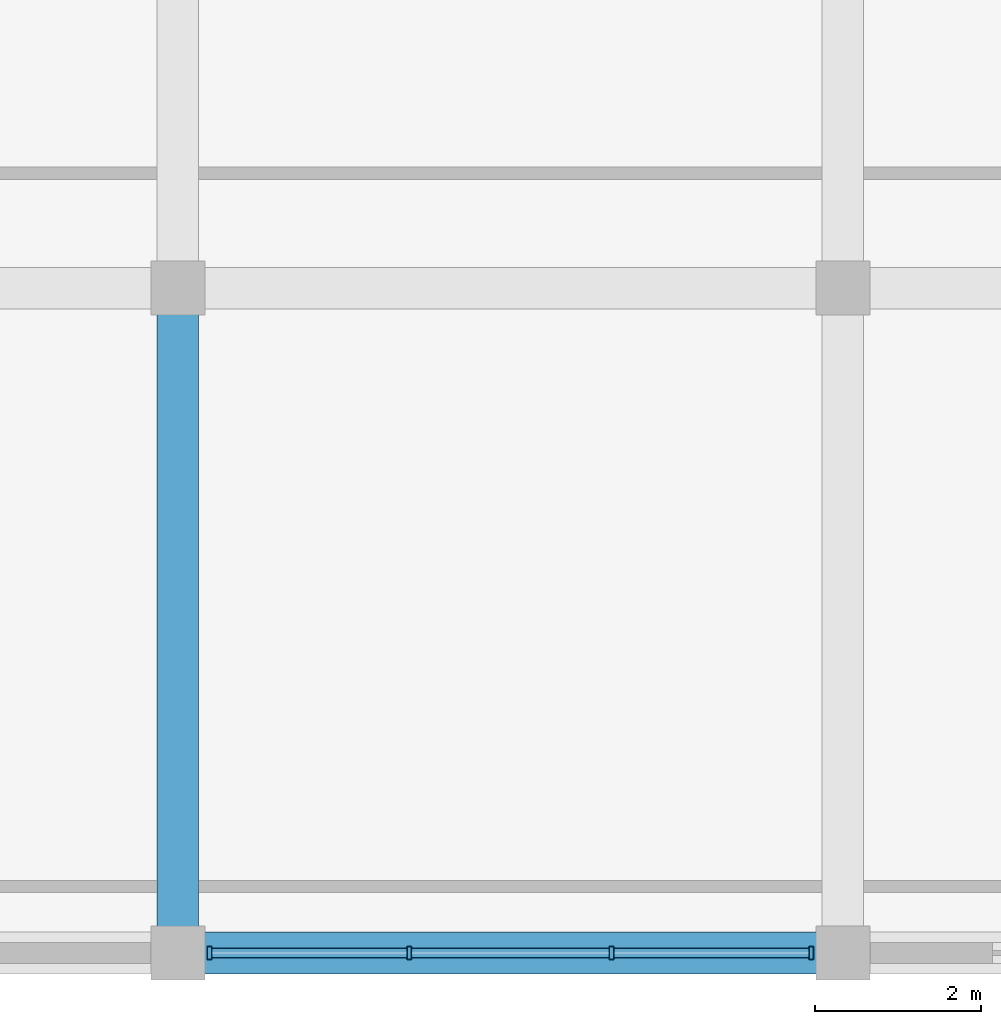
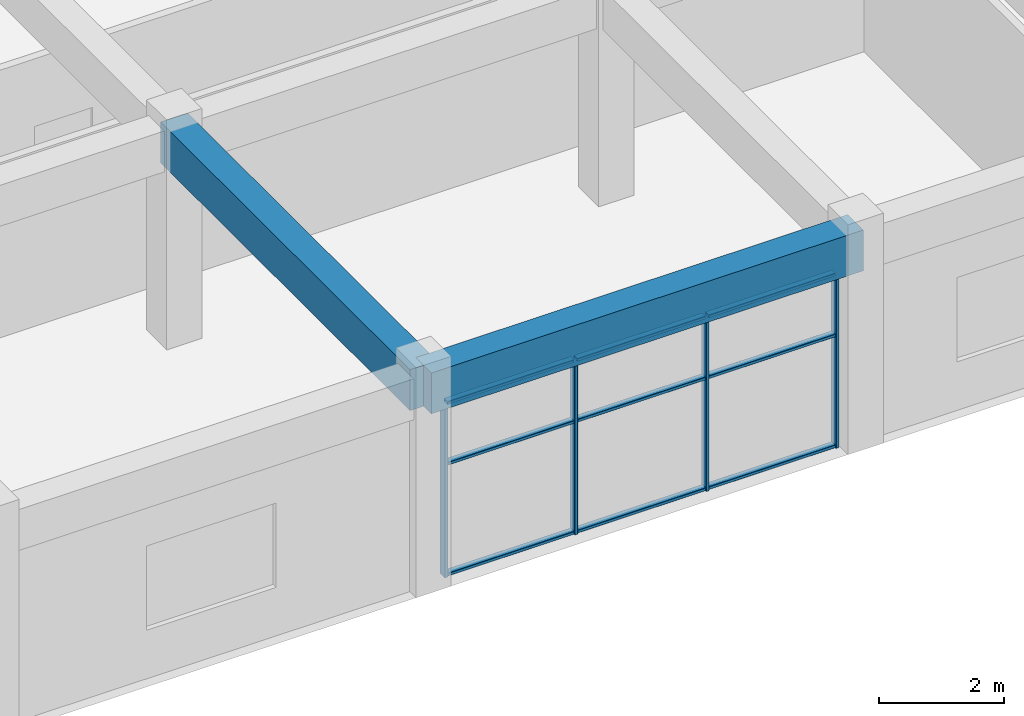
# One storey, part 8 of 52: 13 members, 2 beams, 1 element without a shape of its own.
"""IFC4 building model written with IfcOpenShell, lengths in metres."""

import ifcopenshell
import ifcopenshell.guid

model = None  # the IFC model being written
_history = None  # IfcOwnerHistory: only IFC2X3 demands one
_inside = {}  # id of a spatial element -> (the spatial element, [elements in it])
_under = {}  # id of a project, library or spatial element -> (it, [spatial elements below it])
_declared = {}  # id of a project -> (the project, [libraries it declares])
_typed = {}  # id of a type object -> (the type object, [elements of that type])
_made_of = {}  # id of a material, layer set ... -> (it, [elements and type objects made of it])


def new_model(schema):
    """Start an empty IFC model of exactly this schema.

    Asked for "IFC4X3", IfcOpenShell would pick the latest addendum, in which some entities
    have other attributes; the version numbers below select the first issue.
    IFC2X3 requires an IfcOwnerHistory on every rooted entity: one is made here for all.
    """
    global model, _history
    if schema == "IFC4X3":
        model = ifcopenshell.file(schema_version=(4, 3, 0, 0))
    else:
        model = ifcopenshell.file(schema=schema)
    _inside.clear()
    _under.clear()
    _declared.clear()
    _typed.clear()
    _made_of.clear()
    _history = None
    if model.schema == "IFC2X3":
        org = make("IfcOrganization", Name="unknown")
        user = make(
            "IfcPersonAndOrganization",
            ThePerson=make("IfcPerson", FamilyName="unknown"),
            TheOrganization=org,
        )
        app = make(
            "IfcApplication",
            ApplicationDeveloper=org,
            Version="unknown",
            ApplicationFullName="unknown",
            ApplicationIdentifier="unknown",
        )
        _history = make(
            "IfcOwnerHistory",
            OwningUser=user,
            OwningApplication=app,
            ChangeAction="ADDED",
            CreationDate=0,
        )
    return model


def make(cls, **values):
    """One entity of the class cls with the attributes given. An attribute that is None is left unset."""
    return model.create_entity(
        cls, **{name: value for name, value in values.items() if value is not None}
    )


def rooted(cls, **values):
    """An entity with a GlobalId (a new one), such as an element, a storey or a relation."""
    return make(cls, GlobalId=ifcopenshell.guid.new(), OwnerHistory=_history, **values)


def si_unit(unit_type, name, prefix=None):
    """IfcSIUnit, for example si_unit("LENGTHUNIT", "METRE", prefix="MILLI")."""
    return make("IfcSIUnit", UnitType=unit_type, Prefix=prefix, Name=name)


def assignment(units):
    """IfcUnitAssignment: the units of a project."""
    return None if units is None else make("IfcUnitAssignment", Units=units)


def point(xyz):
    """IfcCartesianPoint."""
    return None if xyz is None else make("IfcCartesianPoint", Coordinates=xyz)


def direction(xyz):
    """IfcDirection."""
    return None if xyz is None else make("IfcDirection", DirectionRatios=xyz)


def frame(location, z_axis=None, x_axis=None):
    """IfcAxis2Placement3D, a coordinate frame: its origin and axes. An axis left out is left unset."""
    return make(
        "IfcAxis2Placement3D",
        Location=point(location),
        Axis=direction(z_axis),
        RefDirection=direction(x_axis),
    )


def frame_2d(location, x_axis=None):
    """IfcAxis2Placement2D, a coordinate frame in the plane: its origin and x axis."""
    return make(
        "IfcAxis2Placement2D", Location=point(location), RefDirection=direction(x_axis)
    )


def origin():
    """The frame at (0, 0, 0) with its axes left unset."""
    return frame((0.0, 0.0, 0.0))


def origin_2d():
    """The frame at (0, 0) in the plane with its x axis left unset."""
    return frame_2d((0.0, 0.0))


def place(relative_to, where):
    """IfcLocalPlacement: puts the frame where relative to a parent placement (None: the world)."""
    return make(
        "IfcLocalPlacement", PlacementRelTo=relative_to, RelativePlacement=where
    )


def context(
    kind, dimensions, precision=None, world=None, true_north=None, identifier=None
):
    """IfcGeometricRepresentationContext, for example the 3D "Model" context."""
    return make(
        "IfcGeometricRepresentationContext",
        ContextIdentifier=identifier,
        ContextType=kind,
        CoordinateSpaceDimension=dimensions,
        Precision=precision,
        WorldCoordinateSystem=world,
        TrueNorth=true_north,
    )


def subcontext(parent, identifier, kind, view, scale=None):
    """IfcGeometricRepresentationSubContext, for example "Body" below "Model"."""
    return make(
        "IfcGeometricRepresentationSubContext",
        ContextIdentifier=identifier,
        ContextType=kind,
        ParentContext=parent,
        TargetScale=scale,
        TargetView=view,
    )


def project(units=None, contexts=None):
    """IfcProject with its units and contexts."""
    return rooted(
        "IfcProject",
        Name="project",
        RepresentationContexts=contexts,
        UnitsInContext=assignment(units),
    )


def spatial(cls, under=None, at=None, **own):
    """A site, building, storey or space (cls), placed at a placement, below another one or the project."""
    s = rooted(cls, ObjectPlacement=at, **own)
    if under is not None:
        _under.setdefault(under.id(), (under, []))[1].append(s)
    return s


def profile(cls, at=None, kind="AREA", **sizes):
    """A parametric profile (cls). Its sizes go by their IFC names, for example OverallWidth=200.0."""
    return make(cls, ProfileType=kind, Position=at, **sizes)


def rectangle(**sizes):
    """IfcRectangleProfileDef."""
    return profile("IfcRectangleProfileDef", **sizes)


def hollow_rectangle(**sizes):
    """IfcRectangleHollowProfileDef."""
    return profile("IfcRectangleHollowProfileDef", **sizes)


def extrude(swept, where, along, depth):
    """IfcExtrudedAreaSolid: the profile swept, set in the frame where, extruded along a direction by depth."""
    return make(
        "IfcExtrudedAreaSolid",
        SweptArea=swept,
        Position=where,
        ExtrudedDirection=direction(along),
        Depth=depth,
    )


def shape(context_of_items, identifier, shape_type, items):
    """IfcShapeRepresentation: the items that make up one representation, for example the "Body"."""
    return make(
        "IfcShapeRepresentation",
        ContextOfItems=context_of_items,
        RepresentationIdentifier=identifier,
        RepresentationType=shape_type,
        Items=items,
    )


def material(Name=None, Category=None):
    """IfcMaterial."""
    return make("IfcMaterial", Name=Name, Category=Category)


def layer(
    of_material, thickness, ventilated=None, Name=None, Category=None, Priority=None
):
    """IfcMaterialLayer: one layer of a wall or slab, of a material (None: an air gap)."""
    return make(
        "IfcMaterialLayer",
        Material=of_material,
        LayerThickness=thickness,
        IsVentilated=ventilated,
        Name=Name,
        Category=Category,
        Priority=Priority,
    )


def layer_set(layers, Name=None):
    """IfcMaterialLayerSet."""
    return make("IfcMaterialLayerSet", MaterialLayers=layers, LayerSetName=Name)


def material_profile(
    of_material, cross_section, Name=None, Category=None, Priority=None
):
    """IfcMaterialProfile: a cross section and its material."""
    return make(
        "IfcMaterialProfile",
        Name=Name,
        Material=of_material,
        Profile=cross_section,
        Priority=Priority,
        Category=Category,
    )


def profile_set(profiles, Name=None, composite=None):
    """IfcMaterialProfileSet."""
    return make(
        "IfcMaterialProfileSet",
        Name=Name,
        MaterialProfiles=profiles,
        CompositeProfile=composite,
    )


def made_of(thing, what):
    """Note that an element or type object is made of a material, layer set ...; save() writes the relation."""
    if what is not None:
        _made_of.setdefault(what.id(), (what, []))[1].append(thing)
    return thing


def type_object(cls, material=None, **own):
    """A type object (cls), such as IfcWallType, which elements share."""
    return made_of(rooted(cls, **own), material)


def element(
    cls,
    number,
    at=None,
    inside=None,
    cuts=None,
    type_object=None,
    material=None,
    context=None,
    identifier="Body",
    shape_type=None,
    held_by="IfcProductDefinitionShape",
    body=None,
    shapes=None,
    **own,
):
    """One element of the class cls, such as IfcWall. Its Tag is "e" and its number.

    at: its placement. inside: the storey or other place that contains it. cuts: it is an
    opening in that element (IfcRelVoidsElement). A single representation is given by context,
    identifier, shape_type and body (its items); several are given by shapes. held_by: the class
    of the entity that holds the representations. save() writes the other relations.
    """
    e = rooted(cls, Tag="e%d" % number, ObjectPlacement=at, **own)
    if body is not None:
        shapes = [shape(context, identifier, shape_type, body)]
    if shapes is not None:
        e.Representation = make(held_by, Representations=shapes)
    if inside is not None:
        _inside.setdefault(inside.id(), (inside, []))[1].append(e)
    if cuts is not None:
        rooted(
            "IfcRelVoidsElement", RelatingBuildingElement=cuts, RelatedOpeningElement=e
        )
    if type_object is not None:
        _typed.setdefault(type_object.id(), (type_object, []))[1].append(e)
    return made_of(e, material)


def aggregate(whole, parts):
    """IfcRelAggregates: a whole, such as a stair, and the parts it consists of."""
    return rooted("IfcRelAggregates", RelatingObject=whole, RelatedObjects=parts)


def save(model, path):
    """Write the relations noted so far, then the file.

    IfcRelAggregates (storeys below a building ...), IfcRelContainedInSpatialStructure (elements
    in a storey), IfcRelDefinesByType, IfcRelAssociatesMaterial and IfcRelDeclares: one each for
    every whole, place, type object, material and project.
    """
    for whole, parts in _under.values():
        aggregate(whole, parts)
    for where, things in _inside.values():
        rooted(
            "IfcRelContainedInSpatialStructure",
            RelatedElements=things,
            RelatingStructure=where,
        )
    for kind, things in _typed.values():
        rooted("IfcRelDefinesByType", RelatedObjects=things, RelatingType=kind)
    for what, things in _made_of.values():
        rooted("IfcRelAssociatesMaterial", RelatedObjects=things, RelatingMaterial=what)
    for by, libraries in _declared.values():
        rooted("IfcRelDeclares", RelatingContext=by, RelatedDefinitions=libraries)
    model.write(path)


model = new_model("IFC4")

# Units and contexts
model_context = context("Model", 3, precision=1e-05, world=origin(), true_north=direction((0.0, 1.0)))
body_context = subcontext(model_context, "Body", "Model", "MODEL_VIEW")
ifc_project = project(units=[si_unit("LENGTHUNIT", "METRE"), si_unit("AREAUNIT", "SQUARE_METRE"), si_unit("VOLUMEUNIT", "CUBIC_METRE"), si_unit("PLANEANGLEUNIT", "RADIAN"), si_unit("MASSUNIT", "GRAM", prefix="KILO")], contexts=[model_context])

# Site, building, storey
site_placement = place(None, origin())
site = spatial("IfcSite", under=ifc_project, at=site_placement, CompositionType="ELEMENT")
building_placement = place(site_placement, origin())
building = spatial("IfcBuilding", under=site, at=building_placement, Name="Kelanora Arch Commons", CompositionType="ELEMENT")
storey_placement = place(building_placement, frame((0.0, 0.0, 13.5)))
storey = spatial("IfcBuildingStorey", under=building, at=storey_placement, Name="L03", CompositionType="ELEMENT", Elevation=13.5)

# Beams
ifc_material_1 = material(Name="Concrete C40/50", Category="concrete")
ifc_material_profile_1 = material_profile(ifc_material_1, rectangle(XDim=0.5, YDim=0.800048828125, at=origin_2d()), Name="RCB500x800")
ifc_profile_set_1 = profile_set([ifc_material_profile_1], Name="Concrete C40/50")
beam_type = type_object("IfcBeamType", Name="BM-MKT-RC1", PredefinedType="BEAM", material=ifc_profile_set_1)
for number, where, z_axis, x_axis, name in (
    (1, (60.0, 4.0, 3.840087890625), (1.0, 0.0, 0.0), (0.0, 1.0, 0.0), "Market/Basement Frame Beam 108 L03"),
    (2, (60.0, 4.0, 3.840087890625), (0.0, 1.0, 0.0), (-1.0, 0.0, 0.0), "Market/Basement Frame Beam 109 L03"),
):
    element("IfcBeam", number, at=place(storey_placement, frame(where, z_axis=z_axis, x_axis=x_axis)), inside=storey, type_object=beam_type, Name=name, PredefinedType="BEAM", context=body_context, shape_type="SweptSolid", body=[
        extrude(rectangle(XDim=0.5, YDim=0.800048828125, at=origin_2d()), origin(), (0.0, 0.0, 1.0), 8.0),
    ])

# Curtain wall, members
ifc_material_2 = material(Name="Terracotta ceramic-fritted low-E glass and aluminium", Category="masonry")
ifc_layer = layer(ifc_material_2, 0.16796875)
ifc_layer_set = layer_set([ifc_layer], Name="Terracotta ceramic-fritted low-E glass and aluminium")
curtain_wall_type = type_object("IfcCurtainWallType", Name="CW-SYS-07", PredefinedType="NOTDEFINED", material=ifc_layer_set)
curtain_wall_placement = place(storey_placement, origin())
curtain_wall = element("IfcCurtainWall", 3, at=curtain_wall_placement, inside=storey, type_object=curtain_wall_type, Name="Market Hall Arcade Curtain Wall L03-07", PredefinedType="NOTDEFINED")
ifc_material_3 = material(Name="Powder-coated aluminium terracotta", Category="masonry")
ifc_material_profile_2 = material_profile(ifc_material_3, hollow_rectangle(XDim=0.159912109375, YDim=0.06005859375, WallThickness=0.0048828125, InnerFilletRadius=0.0048828125, OuterFilletRadius=0.010009765625, at=origin_2d()), Name="CWM160x60")
ifc_profile_set_2 = profile_set([ifc_material_profile_2], Name="Powder-coated aluminium terracotta")
member_type_1 = type_object("IfcMemberType", Name="CWM-STD", PredefinedType="MULLION", material=ifc_profile_set_2)
member_1_placement = place(storey_placement, frame((60.3798828125, 4.0, 0.0), z_axis=(0.0, 0.0, 1.0), x_axis=(0.0, 1.0, 0.0)))
member_1 = element("IfcMember", 4, at=member_1_placement, type_object=member_type_1, Name="CW-07 mullion 1", PredefinedType="MULLION", context=body_context, shape_type="SweptSolid", body=[
    extrude(hollow_rectangle(XDim=0.159912109375, YDim=0.06005859375, WallThickness=0.0048828125, InnerFilletRadius=0.0048828125, OuterFilletRadius=0.010009765625, at=origin_2d()), origin(), (0.0, 0.0, 1.0), 3.419921875),
])
member_2_placement = place(storey_placement, frame((62.783447265625, 4.0, 0.0), z_axis=(0.0, 0.0, 1.0), x_axis=(0.0, 1.0, 0.0)))
member_2 = element("IfcMember", 5, at=member_2_placement, type_object=member_type_1, Name="CW-07 mullion 2", PredefinedType="MULLION", context=body_context, shape_type="SweptSolid", body=[
    extrude(hollow_rectangle(XDim=0.159912109375, YDim=0.06005859375, WallThickness=0.0048828125, InnerFilletRadius=0.0048828125, OuterFilletRadius=0.010009765625, at=origin_2d()), origin(), (0.0, 0.0, 1.0), 3.419921875),
])
member_3_placement = place(storey_placement, frame((65.216552734375, 4.0, 0.0), z_axis=(0.0, 0.0, 1.0), x_axis=(0.0, 1.0, 0.0)))
member_3 = element("IfcMember", 6, at=member_3_placement, type_object=member_type_1, Name="CW-07 mullion 3", PredefinedType="MULLION", context=body_context, shape_type="SweptSolid", body=[
    extrude(hollow_rectangle(XDim=0.159912109375, YDim=0.06005859375, WallThickness=0.0048828125, InnerFilletRadius=0.0048828125, OuterFilletRadius=0.010009765625, at=origin_2d()), origin(), (0.0, 0.0, 1.0), 3.419921875),
])
member_4_placement = place(storey_placement, frame((67.6201171875, 4.0, 0.0), z_axis=(0.0, 0.0, 1.0), x_axis=(0.0, 1.0, 0.0)))
member_4 = element("IfcMember", 7, at=member_4_placement, type_object=member_type_1, Name="CW-07 mullion 4", PredefinedType="MULLION", context=body_context, shape_type="SweptSolid", body=[
    extrude(hollow_rectangle(XDim=0.159912109375, YDim=0.06005859375, WallThickness=0.0048828125, InnerFilletRadius=0.0048828125, OuterFilletRadius=0.010009765625, at=origin_2d()), origin(), (0.0, 0.0, 1.0), 3.419921875),
])
ifc_material_profile_3 = material_profile(ifc_material_3, hollow_rectangle(XDim=0.1201171875, YDim=0.06005859375, WallThickness=0.0048828125, InnerFilletRadius=0.0048828125, OuterFilletRadius=0.010009765625, at=origin_2d()), Name="CWT120x60")
ifc_profile_set_3 = profile_set([ifc_material_profile_3], Name="Powder-coated aluminium terracotta")
member_type_2 = type_object("IfcMemberType", Name="CWT-STD", PredefinedType="USERDEFINED", material=ifc_profile_set_3)
member_5_placement = place(storey_placement, frame((60.409912109375, 4.0, 0.030029296875), z_axis=(1.0, 0.0, 0.0), x_axis=(0.0, 1.0, 0.0)))
member_5 = element("IfcMember", 8, at=member_5_placement, type_object=member_type_2, Name="CW-07 transom 1.1", ObjectType="TRANSOM", PredefinedType="USERDEFINED", context=body_context, shape_type="SweptSolid", body=[
    extrude(hollow_rectangle(XDim=0.1201171875, YDim=0.06005859375, WallThickness=0.0048828125, InnerFilletRadius=0.0048828125, OuterFilletRadius=0.010009765625, at=origin_2d()), origin(), (0.0, 0.0, 1.0), 2.343505859375),
])
member_6_placement = place(storey_placement, frame((60.409912109375, 4.0, 2.199951171875), z_axis=(1.0, 0.0, 0.0), x_axis=(0.0, 1.0, 0.0)))
member_6 = element("IfcMember", 9, at=member_6_placement, type_object=member_type_2, Name="CW-07 transom 1.2", ObjectType="TRANSOM", PredefinedType="USERDEFINED", context=body_context, shape_type="SweptSolid", body=[
    extrude(hollow_rectangle(XDim=0.1201171875, YDim=0.06005859375, WallThickness=0.0048828125, InnerFilletRadius=0.0048828125, OuterFilletRadius=0.010009765625, at=origin_2d()), origin(), (0.0, 0.0, 1.0), 2.343505859375),
])
member_7_placement = place(storey_placement, frame((60.409912109375, 4.0, 3.389892578125), z_axis=(1.0, 0.0, 0.0), x_axis=(0.0, 1.0, 0.0)))
member_7 = element("IfcMember", 10, at=member_7_placement, type_object=member_type_2, Name="CW-07 transom 1.3", ObjectType="TRANSOM", PredefinedType="USERDEFINED", context=body_context, shape_type="SweptSolid", body=[
    extrude(hollow_rectangle(XDim=0.1201171875, YDim=0.06005859375, WallThickness=0.0048828125, InnerFilletRadius=0.0048828125, OuterFilletRadius=0.010009765625, at=origin_2d()), origin(), (0.0, 0.0, 1.0), 2.343505859375),
])
member_8_placement = place(storey_placement, frame((62.813232421875, 4.0, 0.030029296875), z_axis=(1.0, 0.0, 0.0), x_axis=(0.0, 1.0, 0.0)))
member_8 = element("IfcMember", 11, at=member_8_placement, type_object=member_type_2, Name="CW-07 transom 2.1", ObjectType="TRANSOM", PredefinedType="USERDEFINED", context=body_context, shape_type="SweptSolid", body=[
    extrude(hollow_rectangle(XDim=0.1201171875, YDim=0.06005859375, WallThickness=0.0048828125, InnerFilletRadius=0.0048828125, OuterFilletRadius=0.010009765625, at=origin_2d()), origin(), (0.0, 0.0, 1.0), 2.37353515625),
])
member_9_placement = place(storey_placement, frame((62.813232421875, 4.0, 2.199951171875), z_axis=(1.0, 0.0, 0.0), x_axis=(0.0, 1.0, 0.0)))
member_9 = element("IfcMember", 12, at=member_9_placement, type_object=member_type_2, Name="CW-07 transom 2.2", ObjectType="TRANSOM", PredefinedType="USERDEFINED", context=body_context, shape_type="SweptSolid", body=[
    extrude(hollow_rectangle(XDim=0.1201171875, YDim=0.06005859375, WallThickness=0.0048828125, InnerFilletRadius=0.0048828125, OuterFilletRadius=0.010009765625, at=origin_2d()), origin(), (0.0, 0.0, 1.0), 2.37353515625),
])
member_10_placement = place(storey_placement, frame((62.813232421875, 4.0, 3.389892578125), z_axis=(1.0, 0.0, 0.0), x_axis=(0.0, 1.0, 0.0)))
member_10 = element("IfcMember", 13, at=member_10_placement, type_object=member_type_2, Name="CW-07 transom 2.3", ObjectType="TRANSOM", PredefinedType="USERDEFINED", context=body_context, shape_type="SweptSolid", body=[
    extrude(hollow_rectangle(XDim=0.1201171875, YDim=0.06005859375, WallThickness=0.0048828125, InnerFilletRadius=0.0048828125, OuterFilletRadius=0.010009765625, at=origin_2d()), origin(), (0.0, 0.0, 1.0), 2.37353515625),
])
member_11_placement = place(storey_placement, frame((65.24658203125, 4.0, 0.030029296875), z_axis=(1.0, 0.0, 0.0), x_axis=(0.0, 1.0, 0.0)))
member_11 = element("IfcMember", 14, at=member_11_placement, type_object=member_type_2, Name="CW-07 transom 3.1", ObjectType="TRANSOM", PredefinedType="USERDEFINED", context=body_context, shape_type="SweptSolid", body=[
    extrude(hollow_rectangle(XDim=0.1201171875, YDim=0.06005859375, WallThickness=0.0048828125, InnerFilletRadius=0.0048828125, OuterFilletRadius=0.010009765625, at=origin_2d()), origin(), (0.0, 0.0, 1.0), 2.343505859375),
])
member_12_placement = place(storey_placement, frame((65.24658203125, 4.0, 2.199951171875), z_axis=(1.0, 0.0, 0.0), x_axis=(0.0, 1.0, 0.0)))
member_12 = element("IfcMember", 15, at=member_12_placement, type_object=member_type_2, Name="CW-07 transom 3.2", ObjectType="TRANSOM", PredefinedType="USERDEFINED", context=body_context, shape_type="SweptSolid", body=[
    extrude(hollow_rectangle(XDim=0.1201171875, YDim=0.06005859375, WallThickness=0.0048828125, InnerFilletRadius=0.0048828125, OuterFilletRadius=0.010009765625, at=origin_2d()), origin(), (0.0, 0.0, 1.0), 2.343505859375),
])
member_13_placement = place(storey_placement, frame((65.24658203125, 4.0, 3.389892578125), z_axis=(1.0, 0.0, 0.0), x_axis=(0.0, 1.0, 0.0)))
member_13 = element("IfcMember", 16, at=member_13_placement, type_object=member_type_2, Name="CW-07 transom 3.3", ObjectType="TRANSOM", PredefinedType="USERDEFINED", context=body_context, shape_type="SweptSolid", body=[
    extrude(hollow_rectangle(XDim=0.1201171875, YDim=0.06005859375, WallThickness=0.0048828125, InnerFilletRadius=0.0048828125, OuterFilletRadius=0.010009765625, at=origin_2d()), origin(), (0.0, 0.0, 1.0), 2.343505859375),
])
aggregate(curtain_wall, [member_1, member_2, member_3, member_4, member_5, member_6, member_7, member_8, member_9, member_10, member_11, member_12, member_13])

save(model, "model.ifc")
